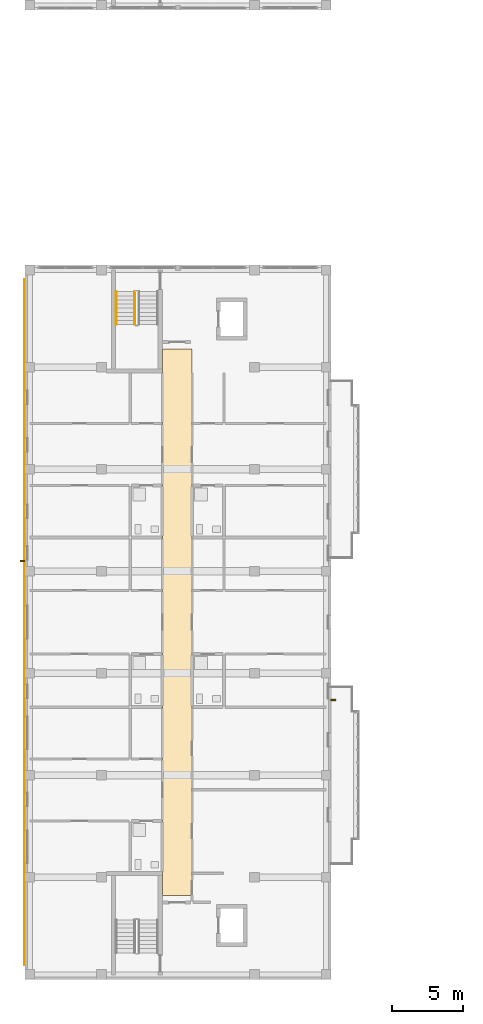
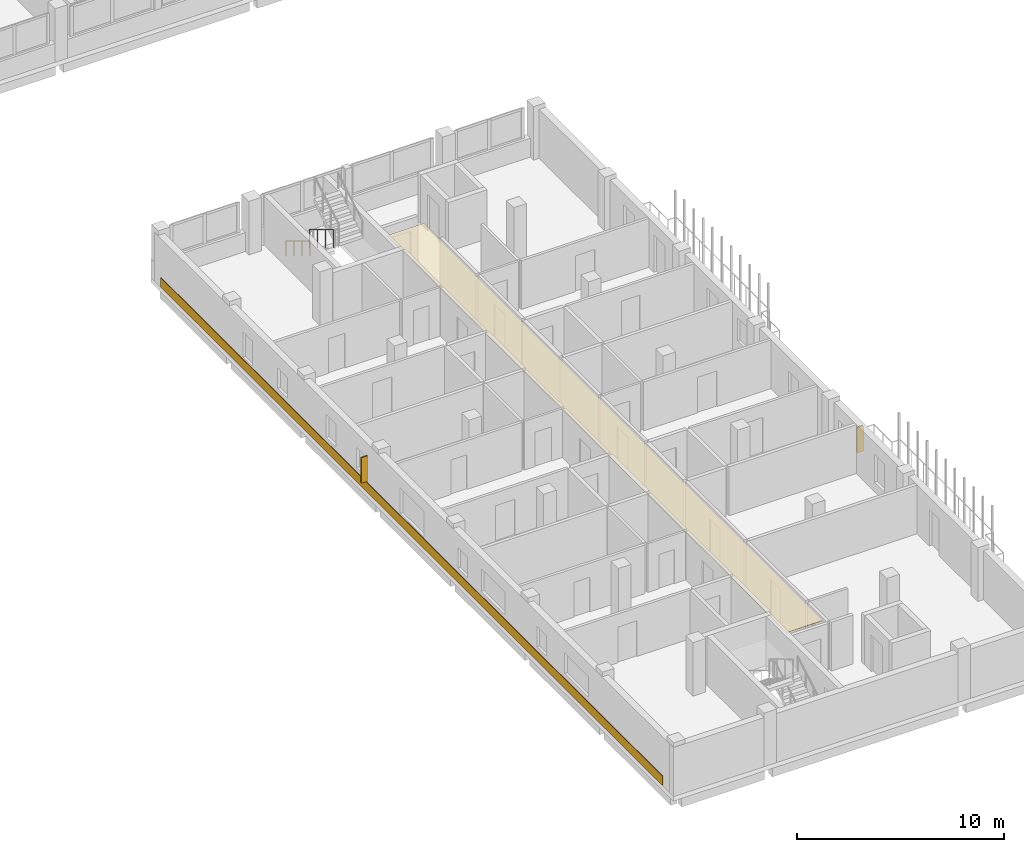
# One storey, part 40 of 51: 2 coverings, 2 railings, 2 shading devices.
"""IFC4 building model written with IfcOpenShell, lengths in metres."""

from ifc_helpers import new_model, si_unit, derived_unit, direction, frame, origin, origin_2d, place, context, subcontext, project, spatial, polyline, rectangle, circle, outline, extrude, material, layer, layer_set, type_object, element, save


model = new_model("IFC4")

# Units and contexts
model_context = context("Model", 3, precision=1e-05, world=origin(), true_north=direction((0.0, 1.0)))
body_context = subcontext(model_context, "Body", "Model", "MODEL_VIEW")
ifc_project = project(units=[si_unit("LENGTHUNIT", "METRE"), si_unit("AREAUNIT", "SQUARE_METRE"), si_unit("VOLUMEUNIT", "CUBIC_METRE"), si_unit("PLANEANGLEUNIT", "RADIAN"), si_unit("MASSUNIT", "GRAM", prefix="KILO"), derived_unit("THERMALTRANSMITTANCEUNIT", [(si_unit("MASSUNIT", "GRAM", prefix="KILO"), 1), (si_unit("TIMEUNIT", "SECOND"), -3), (si_unit("THERMODYNAMICTEMPERATUREUNIT", "KELVIN"), -1)])], contexts=[model_context])

# Site, building, storey
site_placement = place(None, origin())
site = spatial("IfcSite", under=ifc_project, at=site_placement, CompositionType="ELEMENT")
building_placement = place(site_placement, origin())
building = spatial("IfcBuilding", under=site, at=building_placement, Name="Ochrekiln Boulevard Commons", CompositionType="ELEMENT")
storey_placement = place(building_placement, frame((0.0, 0.0, 18.375)))
storey = spatial("IfcBuildingStorey", under=building, at=storey_placement, Name="L05", CompositionType="ELEMENT", Elevation=18.375)

# Coverings
ifc_material_1 = material(Name="Mineral-fibre acoustic ceiling tile")
ifc_layer_1 = layer(ifc_material_1, 0.02490234375)
ifc_layer_set_1 = layer_set([ifc_layer_1], Name="Mineral-fibre acoustic ceiling tile")
covering_type_1 = type_object("IfcCoveringType", Name="COV-CEIL-AC", PredefinedType="CEILING", material=ifc_layer_set_1)
covering_1_placement = place(storey_placement, frame((0.0, 0.0, 2.64990234375)))
element("IfcCovering", 1, at=covering_1_placement, inside=storey, type_object=covering_type_1, Name="L05 Acoustic Corridor Ceiling 50", PredefinedType="CEILING", context=body_context, shape_type="SweptSolid", body=[
    extrude(outline(polyline([(9.719970703125, 5.919921875), (11.780029296875, 5.919921875), (11.780029296875, 44.47998046875), (9.719970703125, 44.47998046875), (9.719970703125, 5.919921875)])), origin(), (0.0, 0.0, 1.0), 0.025146484375),
])
ifc_material_2 = material(Name="Glazed architectural terracotta ASTM C1405", Category="masonry")
ifc_layer_2 = layer(ifc_material_2, 0.0400390625)
ifc_layer_set_2 = layer_set([ifc_layer_2], Name="Glazed architectural terracotta ASTM C1405")
covering_type_2 = type_object("IfcCoveringType", Name="COV-CLAD-TERRA", PredefinedType="CLADDING", material=ifc_layer_set_2)
covering_2_placement = place(storey_placement, frame((-0.02001953125, 25.199951171875, 0.0751953125), z_axis=(0.0, 0.0, 1.0), x_axis=(1.0, 0.0, 0.0)))
element("IfcCovering", 2, at=covering_2_placement, inside=storey, type_object=covering_type_2, Name="Block D L05 Glazed Terracotta Spandrel Band", PredefinedType="CLADDING", context=body_context, shape_type="SweptSolid", body=[
    extrude(rectangle(XDim=0.0400390625, YDim=48.39990234375, at=origin_2d()), origin(), (0.0, 0.0, 1.0), 0.550048828125),
])

# Railings
ifc_material_3 = material(Name="Brushed stainless steel 316 tubular railing", Category="steel")
railing_type_1 = type_object("IfcRailingType", Name="RLG-HDR-900", PredefinedType="HANDRAIL", material=ifc_material_3)
railing_1_placement = place(storey_placement, frame((6.449951171875, 48.530029296875, 0.175048828125)))
element("IfcRailing", 3, at=railing_1_placement, inside=storey, type_object=railing_type_1, Name="L05 ST-D2 stair handrail 1", PredefinedType="HANDRAIL", context=body_context, shape_type="SweptSolid", body=[
    extrude(circle(Radius=0.02392578125, at=origin_2d()), frame((0.0, 0.0, 0.8759765625), z_axis=(0.0, -0.85621033714, 0.516627388526), x_axis=(1.0, 0.0, 0.0)), (0.0, 0.0, 1.0), 2.709716796875),
    extrude(circle(Radius=0.02099609375, at=origin_2d()), origin(), (0.0, 0.0, 1.0), 0.851806640625),
    extrude(circle(Radius=0.02099609375, at=origin_2d()), frame((0.0, -0.7734375, 0.466552734375)), (0.0, 0.0, 1.0), 0.851806640625),
    extrude(circle(Radius=0.02099609375, at=origin_2d()), frame((0.0, -1.546630859375, 0.933349609375)), (0.0, 0.0, 1.0), 0.851806640625),
    extrude(circle(Radius=0.02099609375, at=origin_2d()), frame((0.0, -2.320068359375, 1.39990234375)), (0.0, 0.0, 1.0), 0.851806640625),
])
railing_type_2 = type_object("IfcRailingType", Name="RLG-STR-1120", PredefinedType="BALUSTRADE", material=ifc_material_3)
railing_2_placement = place(storey_placement, frame((7.75, 48.530029296875, 0.175048828125)))
element("IfcRailing", 4, at=railing_2_placement, inside=storey, type_object=railing_type_2, Name="L05 ST-D2 stair guard 1", PredefinedType="BALUSTRADE", context=body_context, shape_type="SweptSolid", body=[
    extrude(circle(Radius=0.02392578125, at=origin_2d()), frame((0.0, 0.0, 1.09619140625), z_axis=(0.0, -0.85621033714, 0.516627388526), x_axis=(1.0, 0.0, 0.0)), (0.0, 0.0, 1.0), 2.709716796875),
    extrude(circle(Radius=0.02099609375, at=origin_2d()), origin(), (0.0, 0.0, 1.0), 1.072021484375),
    extrude(circle(Radius=0.02099609375, at=origin_2d()), frame((0.0, -0.7734375, 0.466552734375)), (0.0, 0.0, 1.0), 1.072021484375),
    extrude(circle(Radius=0.02099609375, at=origin_2d()), frame((0.0, -1.546630859375, 0.933349609375)), (0.0, 0.0, 1.0), 1.072021484375),
    extrude(circle(Radius=0.02099609375, at=origin_2d()), frame((0.0, -2.320068359375, 1.39990234375)), (0.0, 0.0, 1.0), 1.072021484375),
])

# Shading devices
shading_device_type = type_object("IfcShadingDeviceType", Name="SHD-FIN-TERRA", PredefinedType="JALOUSIE", material=ifc_material_2)
for number, where, z_axis, x_axis, name in (
    (5, (-0.169921875, 29.527099609375, 0.699951171875), (0.0, 0.0, 1.0), (1.0, 0.0, 0.0), "Terracotta Solar Shading Fin SF-01 (80)"),
    (6, (21.77001953125, 19.712890625, 0.75), (0.0, 0.0, 1.0), (1.0, 0.0, 0.0), "Terracotta Solar Shading Fin SF-01 (81)"),
):
    element("IfcShadingDevice", number, at=place(storey_placement, frame(where, z_axis=z_axis, x_axis=x_axis)), inside=storey, type_object=shading_device_type, Name=name, PredefinedType="JALOUSIE", context=body_context, shape_type="SweptSolid", body=[
        extrude(rectangle(XDim=0.35009765625, YDim=0.080078125, at=origin_2d()), origin(), (0.0, 0.0, 1.0), 1.5),
    ])

save(model, "model.ifc")
